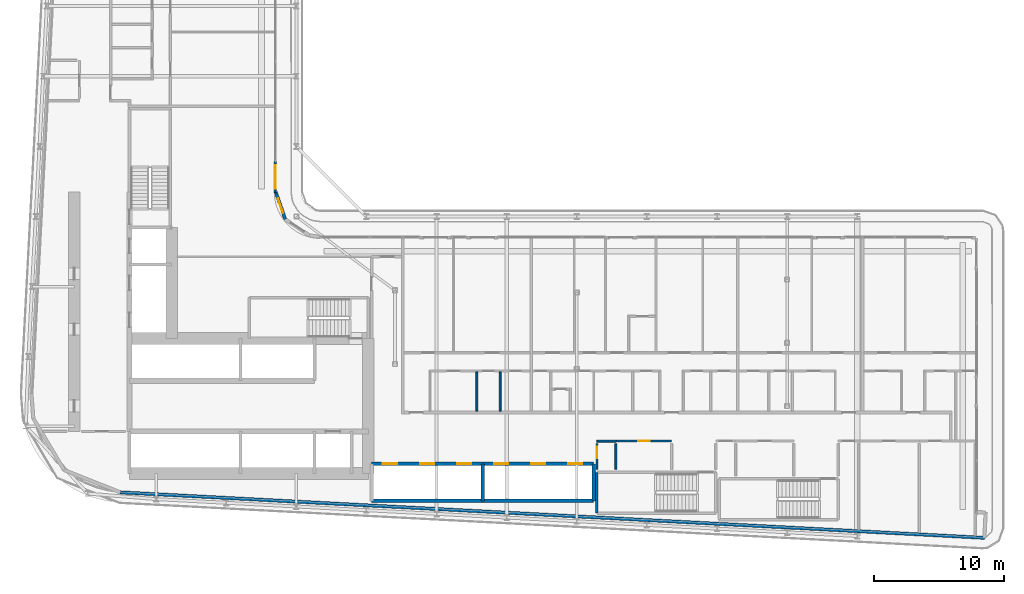
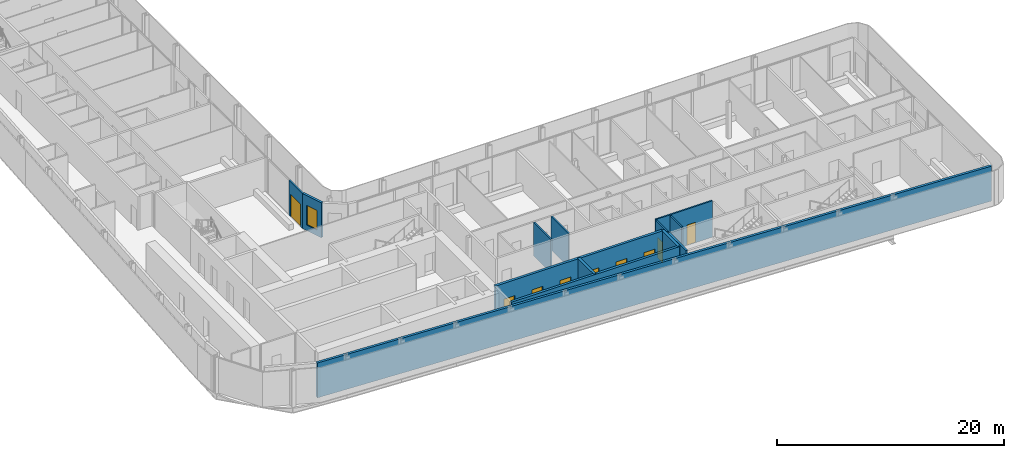
# One storey, part 14 of 28: 14 walls, 9 doors, 1 window, 10 openings.
"""IFC4 building model written with IfcOpenShell, lengths in metres."""

from ifc_helpers import new_model, si_unit, direction, frame, frame_2d, origin, place, context, subcontext, project, spatial, rectangle, extrude, source, transform, mapped, material, layer, layer_set, type_object, element, fill, save


model = new_model("IFC4")

# Units and contexts
model_context = context("Model", 3, precision=1e-05, world=origin(), true_north=direction((0.0, 1.0)))
body_context = subcontext(model_context, "Body", "Model", "MODEL_VIEW")
ifc_project = project(units=[si_unit("LENGTHUNIT", "METRE"), si_unit("AREAUNIT", "SQUARE_METRE"), si_unit("VOLUMEUNIT", "CUBIC_METRE"), si_unit("PLANEANGLEUNIT", "RADIAN"), si_unit("MASSUNIT", "GRAM", prefix="KILO")], contexts=[model_context])

# Site, building, storey
site_placement = place(None, origin())
site = spatial("IfcSite", under=ifc_project, at=site_placement, CompositionType="ELEMENT")
building_placement = place(site_placement, origin())
building = spatial("IfcBuilding", under=site, at=building_placement, Name="Kheshtan School and Residences Tower", CompositionType="ELEMENT")
storey_placement = place(building_placement, frame((0.0, 0.0, 129.199951171875)))
storey = spatial("IfcBuildingStorey", under=building, at=storey_placement, Name="L30", CompositionType="ELEMENT", Elevation=129.199951171875)

# Wall, opening, window
ifc_material_1 = material(Name="Concrete C40/50 with ceramic cladding and mineral wool insulation", Category="concrete")
ifc_layer_1 = layer(ifc_material_1, 0.25)
ifc_layer_set_1 = layer_set([ifc_layer_1], Name="External wall 250 ceramic clad")
wall_type_1 = type_object("IfcWallType", Name="External wall 250 ceramic clad", PredefinedType="SOLIDWALL", material=ifc_layer_set_1)
wall_1_placement = place(storey_placement, frame((46.01806640625, 47.470947265625, 0.0), z_axis=(0.0, 0.0, 1.0), x_axis=(0.328791208903, -0.944402637093, 0.0)))
wall_1 = element("IfcWall", 1, at=wall_1_placement, inside=storey, type_object=wall_type_1, Name="External wall L30 9", PredefinedType="SOLIDWALL", context=body_context, shape_type="SweptSolid", body=[
    extrude(rectangle(XDim=2.20458984375, YDim=0.25, at=frame_2d((1.102294921875, 0.0))), origin(), (0.0, 0.0, 1.0), 3.75),
])
opening_1_placement = place(wall_1_placement, frame((0.5029296875, 0.0, 0.60009765625)))
opening_1 = element("IfcOpeningElement", 2, at=opening_1_placement, cuts=wall_1, Name="Opening WN-E", PredefinedType="OPENING", context=body_context, shape_type="SweptSolid", body=[
    extrude(rectangle(XDim=1.199951171875, YDim=2.10009765625, at=frame_2d((0.60009765625, 1.050048828125))), frame((0.0, 0.135009765625, 0.0), z_axis=(0.0, -1.0, 0.0), x_axis=(1.0, 0.0, 0.0)), (0.0, 0.0, 1.0), 0.27001953125),
])
ifc_material_2 = material(Name="Clear low-e glass in thermally broken aluminium frame", Category="aluminium")
window_type = type_object("IfcWindowType", Name="Window WN-E", PartitioningType="SINGLE_PANEL", PredefinedType="WINDOW", material=ifc_material_2)
shared_shape_1 = source(origin(), body_context, "Body", "SweptSolid", [
    extrude(rectangle(XDim=1.199951171875, YDim=2.10009765625, at=frame_2d((0.60009765625, 1.050048828125))), frame((0.0, 0.030029296875, 0.0), z_axis=(0.0, -1.0, 0.0), x_axis=(1.0, 0.0, 0.0)), (0.0, 0.0, 1.0), 0.06005859375),
])
window_placement = place(opening_1_placement, origin())
window = element("IfcWindow", 3, at=window_placement, inside=storey, type_object=window_type, Name="Window L30 9", OverallHeight=2.10009765625, OverallWidth=1.199951171875, PartitioningType="SINGLE_PANEL", PredefinedType="WINDOW", context=body_context, shape_type="MappedRepresentation", body=[
    mapped(shared_shape_1, transform((0.0, 0.0, 0.0), x_axis=(1.0, 0.0, 0.0), y_axis=(0.0, 1.0, 0.0), z_axis=(0.0, 0.0, 1.0), scale=1.0)),
])
fill(opening_1, window)

# Wall
wall_2_placement = place(storey_placement, frame((100.5859375, 20.85009765625, 0.0), z_axis=(0.0, 0.0, 1.0), x_axis=(-0.99861746497, 0.052565755559, 0.0)))
element("IfcWall", 4, at=wall_2_placement, inside=storey, type_object=wall_type_1, Name="External wall L30 16", PredefinedType="SOLIDWALL", context=body_context, shape_type="SweptSolid", body=[
    extrude(rectangle(XDim=66.638916015625, YDim=0.25, at=frame_2d((33.3193359375, 0.0))), origin(), (0.0, 0.0, 1.0), 3.75),
])

# Wall, opening, door
ifc_material_3 = material(Name="Aluminium frame wall with insulated infill", Category="aluminium")
ifc_layer_2 = layer(ifc_material_3, 0.14990234375)
ifc_layer_set_2 = layer_set([ifc_layer_2], Name="Glazing frame wall 150")
wall_type_2 = type_object("IfcWallType", Name="Glazing frame wall 150", PredefinedType="SOLIDWALL", material=ifc_layer_set_2)
wall_3_placement = place(storey_placement, frame((45.97509765625, 49.830078125, 0.0), z_axis=(0.0, 0.0, 1.0), x_axis=(0.0, -1.0, 0.0)))
wall_3 = element("IfcWall", 5, at=wall_3_placement, inside=storey, type_object=wall_type_2, Name="Balcony door wall L30 8.5", PredefinedType="SOLIDWALL", context=body_context, shape_type="SweptSolid", body=[
    extrude(rectangle(XDim=2.400146484375, YDim=0.14990234375, at=frame_2d((1.2001953125, 0.0))), origin(), (0.0, 0.0, 1.0), 3.75),
])
opening_2_placement = place(wall_3_placement, frame((0.300048828125, 0.0, 0.0)))
opening_2 = element("IfcOpeningElement", 6, at=opening_2_placement, cuts=wall_3, Name="Opening BD", PredefinedType="OPENING", context=body_context, shape_type="SweptSolid", body=[
    extrude(rectangle(XDim=1.800048828125, YDim=2.39990234375, at=frame_2d((0.89990234375, 1.199951171875))), frame((0.0, 0.0849609375, 0.0), z_axis=(0.0, -1.0, 0.0), x_axis=(1.0, 0.0, 0.0)), (0.0, 0.0, 1.0), 0.169921875),
])
door_type_1 = type_object("IfcDoorType", Name="Balcony sliding door", OperationType="SLIDING_TO_LEFT", PredefinedType="DOOR", material=ifc_material_2)
shared_shape_2 = source(origin(), body_context, "Body", "SweptSolid", [
    extrude(rectangle(XDim=1.800048828125, YDim=2.39990234375, at=frame_2d((0.89990234375, 1.199951171875))), frame((0.0, 0.02490234375, 0.0), z_axis=(0.0, -1.0, 0.0), x_axis=(1.0, 0.0, 0.0)), (0.0, 0.0, 1.0), 0.050048828125),
])
door_1_placement = place(opening_2_placement, origin())
door_1 = element("IfcDoor", 7, at=door_1_placement, inside=storey, type_object=door_type_1, Name="Balcony door L30 8.5", OperationType="SLIDING_TO_LEFT", OverallHeight=2.39990234375, OverallWidth=1.800048828125, PredefinedType="DOOR", context=body_context, shape_type="MappedRepresentation", body=[
    mapped(shared_shape_2, transform((0.0, 0.0, 0.0), x_axis=(1.0, 0.0, 0.0), y_axis=(0.0, 1.0, 0.0), z_axis=(0.0, 0.0, 1.0), scale=1.0)),
])
fill(opening_2, door_1)

# Wall
ifc_material_4 = material(Name="Fire-board shaft wall system")
ifc_layer_3 = layer(ifc_material_4, 0.14990234375)
ifc_layer_set_3 = layer_set([ifc_layer_3], Name="Service room wall 150")
wall_type_3 = type_object("IfcWallType", Name="Service room wall 150", PredefinedType="PARTITIONING", material=ifc_layer_set_3)
wall_4_placement = place(storey_placement, frame((70.75, 28.300048828125, 0.0), z_axis=(0.0, 0.0, 1.0), x_axis=(1.0, 0.0, 0.0)))
element("IfcWall", 8, at=wall_4_placement, inside=storey, type_object=wall_type_3, Name="Service room wall", PredefinedType="PARTITIONING", context=body_context, shape_type="SweptSolid", body=[
    extrude(rectangle(XDim=1.467041015625, YDim=0.14990234375, at=frame_2d((0.7333984375, 0.0))), origin(), (0.0, 0.0, 1.0), 3.900146484375),
])

# Wall, opening, door
wall_5_placement = place(storey_placement, frame((70.75, 26.1201171875, 0.0), z_axis=(0.0, 0.0, 1.0), x_axis=(0.0, 1.0, 0.0)))
wall_5 = element("IfcWall", 9, at=wall_5_placement, inside=storey, type_object=wall_type_3, Name="Service room wall", PredefinedType="PARTITIONING", context=body_context, shape_type="SweptSolid", body=[
    extrude(rectangle(XDim=1.98486328125, YDim=0.14990234375, at=frame_2d((0.992431640625, 0.0))), origin(), (0.0, 0.0, 1.0), 3.900146484375),
])
opening_3_placement = place(wall_5_placement, frame((0.85498046875, 0.0, 0.0)))
opening_3 = element("IfcOpeningElement", 10, at=opening_3_placement, cuts=wall_5, Name="Opening SR90", PredefinedType="OPENING", context=body_context, shape_type="SweptSolid", body=[
    extrude(rectangle(XDim=0.89990234375, YDim=2.199951171875, at=frame_2d((0.449951171875, 1.10009765625))), frame((0.0, 0.0849609375, 0.0), z_axis=(0.0, -1.0, 0.0), x_axis=(1.0, 0.0, 0.0)), (0.0, 0.0, 1.0), 0.169921875),
])
ifc_material_5 = material(Name="Steel door leaf, galvanised", Category="steel")
door_type_2 = type_object("IfcDoorType", Name="Service room door 900 steel 90 min", OperationType="SINGLE_SWING_LEFT", PredefinedType="DOOR", material=ifc_material_5)
shared_shape_3 = source(origin(), body_context, "Body", "SweptSolid", [
    extrude(rectangle(XDim=0.89990234375, YDim=2.199951171875, at=frame_2d((0.449951171875, 1.10009765625))), frame((0.0, 0.02490234375, 0.0), z_axis=(0.0, -1.0, 0.0), x_axis=(1.0, 0.0, 0.0)), (0.0, 0.0, 1.0), 0.050048828125),
])
door_2_placement = place(opening_3_placement, origin())
door_2 = element("IfcDoor", 11, at=door_2_placement, inside=storey, type_object=door_type_2, Name="Service room door", OperationType="SINGLE_SWING_LEFT", OverallHeight=2.199951171875, OverallWidth=0.89990234375, PredefinedType="DOOR", context=body_context, shape_type="MappedRepresentation", body=[
    mapped(shared_shape_3, transform((0.0, 0.0, 0.0), x_axis=(1.0, 0.0, 0.0), y_axis=(0.0, 1.0, 0.0), z_axis=(0.0, 0.0, 1.0), scale=1.0)),
])
fill(opening_3, door_2)

# Wall
wall_6_placement = place(storey_placement, frame((72.217041015625, 26.1201171875, 0.0), z_axis=(0.0, 0.0, 1.0), x_axis=(0.0, 1.0, 0.0)))
element("IfcWall", 12, at=wall_6_placement, inside=storey, type_object=wall_type_3, Name="Service room wall", PredefinedType="PARTITIONING", context=body_context, shape_type="SweptSolid", body=[
    extrude(rectangle(XDim=1.98486328125, YDim=0.14990234375, at=frame_2d((0.992431640625, 0.0))), origin(), (0.0, 0.0, 1.0), 3.900146484375),
])

# Wall, opening, door
wall_7_placement = place(storey_placement, frame((72.217041015625, 28.300048828125, 0.0), z_axis=(0.0, 0.0, 1.0), x_axis=(1.0, 0.0, 0.0)))
wall_7 = element("IfcWall", 13, at=wall_7_placement, inside=storey, type_object=wall_type_3, Name="Service room wall", PredefinedType="PARTITIONING", context=body_context, shape_type="SweptSolid", body=[
    extrude(rectangle(XDim=4.29296875, YDim=0.14990234375, at=frame_2d((2.146484375, 0.0))), origin(), (0.0, 0.0, 1.0), 3.900146484375),
])
opening_4_placement = place(wall_7_placement, frame((1.697021484375, 0.0, 0.0)))
opening_4 = element("IfcOpeningElement", 14, at=opening_4_placement, cuts=wall_7, Name="Opening SR90", PredefinedType="OPENING", context=body_context, shape_type="SweptSolid", body=[
    extrude(rectangle(XDim=0.89990234375, YDim=2.199951171875, at=frame_2d((0.449951171875, 1.10009765625))), frame((0.0, 0.0849609375, 0.0), z_axis=(0.0, -1.0, 0.0), x_axis=(1.0, 0.0, 0.0)), (0.0, 0.0, 1.0), 0.169921875),
])
door_3_placement = place(opening_4_placement, origin())
door_3 = element("IfcDoor", 15, at=door_3_placement, inside=storey, type_object=door_type_2, Name="Service room door", OperationType="SINGLE_SWING_RIGHT", OverallHeight=2.199951171875, OverallWidth=0.89990234375, PredefinedType="DOOR", context=body_context, shape_type="MappedRepresentation", body=[
    mapped(shared_shape_3, transform((0.0, 0.0, 0.0), x_axis=(1.0, 0.0, 0.0), y_axis=(0.0, 1.0, 0.0), z_axis=(0.0, 0.0, 1.0), scale=1.0)),
])
fill(opening_4, door_3)

# Walls
ifc_layer_4 = layer(ifc_material_4, 0.25)
ifc_layer_set_4 = layer_set([ifc_layer_4], Name="Shaft lining wall 250")
wall_type_4 = type_object("IfcWallType", Name="Shaft lining wall 250", PredefinedType="PARTITIONING", material=ifc_layer_set_4)
for number, where, z_axis, x_axis, name in (
    (16, (61.949951171875, 23.699951171875, 0.0), (0.0, 0.0, 1.0), (0.0, 1.0, 0.0), "Shaft lining wall"),
    (17, (70.5, 23.699951171875, 0.0), (0.0, 0.0, 1.0), (0.0, 1.0, 0.0), "Shaft lining wall"),
):
    element("IfcWall", number, at=place(storey_placement, frame(where, z_axis=z_axis, x_axis=x_axis)), inside=storey, type_object=wall_type_4, Name=name, PredefinedType="PARTITIONING", context=body_context, shape_type="SweptSolid", body=[
        extrude(rectangle(XDim=2.85009765625, YDim=0.25, at=frame_2d((1.425048828125, 0.0))), origin(), (0.0, 0.0, 1.0), 3.900146484375),
    ])
wall_8_placement = place(storey_placement, frame((53.39990234375, 23.699951171875, 0.0), z_axis=(0.0, 0.0, 1.0), x_axis=(1.0, 0.0, 0.0)))
element("IfcWall", 18, at=wall_8_placement, inside=storey, type_object=wall_type_4, Name="Shaft lining wall", PredefinedType="PARTITIONING", context=body_context, shape_type="SweptSolid", body=[
    extrude(rectangle(XDim=17.10009765625, YDim=0.25, at=frame_2d((8.550048828125, 0.0))), origin(), (0.0, 0.0, 1.0), 3.900146484375),
])

# Wall, openings, doors
wall_9_placement = place(storey_placement, frame((53.39990234375, 26.550048828125, 0.0), z_axis=(0.0, 0.0, 1.0), x_axis=(1.0, 0.0, 0.0)))
wall_9 = element("IfcWall", 19, at=wall_9_placement, inside=storey, type_object=wall_type_4, Name="Shaft lining wall", PredefinedType="PARTITIONING", context=body_context, shape_type="SweptSolid", body=[
    extrude(rectangle(XDim=17.10009765625, YDim=0.25, at=frame_2d((8.550048828125, 0.0))), origin(), (0.0, 0.0, 1.0), 3.900146484375),
])
opening_5_placement = place(wall_9_placement, frame((0.875, 0.0, 0.0)))
opening_5 = element("IfcOpeningElement", 20, at=opening_5_placement, cuts=wall_9, Name="Opening LD", PredefinedType="OPENING", context=body_context, shape_type="SweptSolid", body=[
    extrude(rectangle(XDim=1.10009765625, YDim=2.199951171875, at=frame_2d((0.550048828125, 1.10009765625))), frame((0.0, 0.135009765625, 0.0), z_axis=(0.0, -1.0, 0.0), x_axis=(1.0, 0.0, 0.0)), (0.0, 0.0, 1.0), 0.27001953125),
])
opening_6_placement = place(wall_9_placement, frame((3.72509765625, 0.0, 0.0)))
opening_6 = element("IfcOpeningElement", 21, at=opening_6_placement, cuts=wall_9, Name="Opening LD", PredefinedType="OPENING", context=body_context, shape_type="SweptSolid", body=[
    extrude(rectangle(XDim=1.10009765625, YDim=2.199951171875, at=frame_2d((0.550048828125, 1.10009765625))), frame((0.0, 0.135009765625, 0.0), z_axis=(0.0, -1.0, 0.0), x_axis=(1.0, 0.0, 0.0)), (0.0, 0.0, 1.0), 0.27001953125),
])
opening_7_placement = place(wall_9_placement, frame((6.574951171875, 0.0, 0.0)))
opening_7 = element("IfcOpeningElement", 22, at=opening_7_placement, cuts=wall_9, Name="Opening LD", PredefinedType="OPENING", context=body_context, shape_type="SweptSolid", body=[
    extrude(rectangle(XDim=1.10009765625, YDim=2.199951171875, at=frame_2d((0.550048828125, 1.10009765625))), frame((0.0, 0.135009765625, 0.0), z_axis=(0.0, -1.0, 0.0), x_axis=(1.0, 0.0, 0.0)), (0.0, 0.0, 1.0), 0.27001953125),
])
opening_8_placement = place(wall_9_placement, frame((9.425048828125, 0.0, 0.0)))
opening_8 = element("IfcOpeningElement", 23, at=opening_8_placement, cuts=wall_9, Name="Opening LD", PredefinedType="OPENING", context=body_context, shape_type="SweptSolid", body=[
    extrude(rectangle(XDim=1.10009765625, YDim=2.199951171875, at=frame_2d((0.550048828125, 1.10009765625))), frame((0.0, 0.135009765625, 0.0), z_axis=(0.0, -1.0, 0.0), x_axis=(1.0, 0.0, 0.0)), (0.0, 0.0, 1.0), 0.27001953125),
])
opening_9_placement = place(wall_9_placement, frame((12.27490234375, 0.0, 0.0)))
opening_9 = element("IfcOpeningElement", 24, at=opening_9_placement, cuts=wall_9, Name="Opening LD", PredefinedType="OPENING", context=body_context, shape_type="SweptSolid", body=[
    extrude(rectangle(XDim=1.10009765625, YDim=2.199951171875, at=frame_2d((0.550048828125, 1.10009765625))), frame((0.0, 0.135009765625, 0.0), z_axis=(0.0, -1.0, 0.0), x_axis=(1.0, 0.0, 0.0)), (0.0, 0.0, 1.0), 0.27001953125),
])
opening_10_placement = place(wall_9_placement, frame((15.125, 0.0, 0.0)))
opening_10 = element("IfcOpeningElement", 25, at=opening_10_placement, cuts=wall_9, Name="Opening LD", PredefinedType="OPENING", context=body_context, shape_type="SweptSolid", body=[
    extrude(rectangle(XDim=1.10009765625, YDim=2.199951171875, at=frame_2d((0.550048828125, 1.10009765625))), frame((0.0, 0.135009765625, 0.0), z_axis=(0.0, -1.0, 0.0), x_axis=(1.0, 0.0, 0.0)), (0.0, 0.0, 1.0), 0.27001953125),
])
ifc_material_6 = material(Name="Stainless steel door leaves", Category="steel")
door_type_3 = type_object("IfcDoorType", Name="Lift landing door 1100", OperationType="SLIDING_TO_LEFT", PredefinedType="DOOR", material=ifc_material_6)
shared_shape_4 = source(origin(), body_context, "Body", "SweptSolid", [
    extrude(rectangle(XDim=1.10009765625, YDim=2.199951171875, at=frame_2d((0.550048828125, 1.10009765625))), frame((0.0, 0.02490234375, 0.0), z_axis=(0.0, -1.0, 0.0), x_axis=(1.0, 0.0, 0.0)), (0.0, 0.0, 1.0), 0.050048828125),
])
door_4_placement = place(opening_5_placement, origin())
door_4 = element("IfcDoor", 26, at=door_4_placement, inside=storey, type_object=door_type_3, Name="Lift P1 landing door", OperationType="SLIDING_TO_LEFT", OverallHeight=2.199951171875, OverallWidth=1.10009765625, PredefinedType="DOOR", context=body_context, shape_type="MappedRepresentation", body=[
    mapped(shared_shape_4, transform((0.0, 0.0, 0.0), x_axis=(1.0, 0.0, 0.0), y_axis=(0.0, 1.0, 0.0), z_axis=(0.0, 0.0, 1.0), scale=1.0)),
])
fill(opening_5, door_4)
door_5_placement = place(opening_6_placement, origin())
door_5 = element("IfcDoor", 27, at=door_5_placement, inside=storey, type_object=door_type_3, Name="Lift P2 landing door", OperationType="SLIDING_TO_LEFT", OverallHeight=2.199951171875, OverallWidth=1.10009765625, PredefinedType="DOOR", context=body_context, shape_type="MappedRepresentation", body=[
    mapped(shared_shape_4, transform((0.0, 0.0, 0.0), x_axis=(1.0, 0.0, 0.0), y_axis=(0.0, 1.0, 0.0), z_axis=(0.0, 0.0, 1.0), scale=1.0)),
])
fill(opening_6, door_5)
door_6_placement = place(opening_7_placement, origin())
door_6 = element("IfcDoor", 28, at=door_6_placement, inside=storey, type_object=door_type_3, Name="Lift P3 landing door", OperationType="SLIDING_TO_LEFT", OverallHeight=2.199951171875, OverallWidth=1.10009765625, PredefinedType="DOOR", context=body_context, shape_type="MappedRepresentation", body=[
    mapped(shared_shape_4, transform((0.0, 0.0, 0.0), x_axis=(1.0, 0.0, 0.0), y_axis=(0.0, 1.0, 0.0), z_axis=(0.0, 0.0, 1.0), scale=1.0)),
])
fill(opening_7, door_6)
door_7_placement = place(opening_8_placement, origin())
door_7 = element("IfcDoor", 29, at=door_7_placement, inside=storey, type_object=door_type_3, Name="Lift P4 landing door", OperationType="SLIDING_TO_LEFT", OverallHeight=2.199951171875, OverallWidth=1.10009765625, PredefinedType="DOOR", context=body_context, shape_type="MappedRepresentation", body=[
    mapped(shared_shape_4, transform((0.0, 0.0, 0.0), x_axis=(1.0, 0.0, 0.0), y_axis=(0.0, 1.0, 0.0), z_axis=(0.0, 0.0, 1.0), scale=1.0)),
])
fill(opening_8, door_7)
door_8_placement = place(opening_9_placement, origin())
door_8 = element("IfcDoor", 30, at=door_8_placement, inside=storey, type_object=door_type_3, Name="Lift P5 landing door", OperationType="SLIDING_TO_LEFT", OverallHeight=2.199951171875, OverallWidth=1.10009765625, PredefinedType="DOOR", context=body_context, shape_type="MappedRepresentation", body=[
    mapped(shared_shape_4, transform((0.0, 0.0, 0.0), x_axis=(1.0, 0.0, 0.0), y_axis=(0.0, 1.0, 0.0), z_axis=(0.0, 0.0, 1.0), scale=1.0)),
])
fill(opening_9, door_8)
door_9_placement = place(opening_10_placement, origin())
door_9 = element("IfcDoor", 31, at=door_9_placement, inside=storey, type_object=door_type_3, Name="Lift P6 landing door", OperationType="SLIDING_TO_LEFT", OverallHeight=2.199951171875, OverallWidth=1.10009765625, PredefinedType="DOOR", context=body_context, shape_type="MappedRepresentation", body=[
    mapped(shared_shape_4, transform((0.0, 0.0, 0.0), x_axis=(1.0, 0.0, 0.0), y_axis=(0.0, 1.0, 0.0), z_axis=(0.0, 0.0, 1.0), scale=1.0)),
])
fill(opening_10, door_9)

# Walls
ifc_material_7 = material(Name="Concrete C40/50", Category="concrete")
ifc_layer_5 = layer(ifc_material_7, 0.199951171875)
ifc_layer_set_5 = layer_set([ifc_layer_5], Name="Stair enclosure wall 200 Concrete C40/50")
wall_type_5 = type_object("IfcWallType", Name="Stair enclosure wall 200 Concrete C40/50", PredefinedType="SHEAR", material=ifc_layer_set_5)
wall_10_placement = place(storey_placement, frame((70.75, 22.75, 0.0), z_axis=(0.0, 0.0, 1.0), x_axis=(0.0, 1.0, 0.0)))
element("IfcWall", 32, at=wall_10_placement, inside=storey, type_object=wall_type_5, Name="Stair enclosure wall ST5", PredefinedType="SHEAR", context=body_context, shape_type="SweptSolid", body=[
    extrude(rectangle(XDim=3.14990234375, YDim=0.199951171875, at=frame_2d((1.574951171875, 0.0))), origin(), (0.0, 0.0, 1.0), 3.900146484375),
])
ifc_material_8 = material(Name="Moisture-resistant gypsum board on steel studs", Category="steel")
ifc_layer_6 = layer(ifc_material_8, 0.14990234375)
ifc_layer_set_6 = layer_set([ifc_layer_6], Name="Wet-room partition 150")
wall_type_6 = type_object("IfcWallType", Name="Wet-room partition 150", PredefinedType="PARTITIONING", material=ifc_layer_set_6)
for number, where, z_axis, x_axis, name in (
    (33, (61.5, 30.60009765625, 0.0), (0.0, 0.0, 1.0), (0.0, 1.0, 0.0), "Partition L30-052"),
    (34, (63.300048828125, 30.60009765625, 0.0), (0.0, 0.0, 1.0), (0.0, 1.0, 0.0), "Partition L30-053"),
):
    element("IfcWall", number, at=place(storey_placement, frame(where, z_axis=z_axis, x_axis=x_axis)), inside=storey, type_object=wall_type_6, Name=name, PredefinedType="PARTITIONING", context=body_context, shape_type="SweptSolid", body=[
        extrude(rectangle(XDim=3.02490234375, YDim=0.14990234375, at=frame_2d((1.512451171875, 0.0))), origin(), (0.0, 0.0, 1.0), 3.60009765625),
    ])

save(model, "model.ifc")
